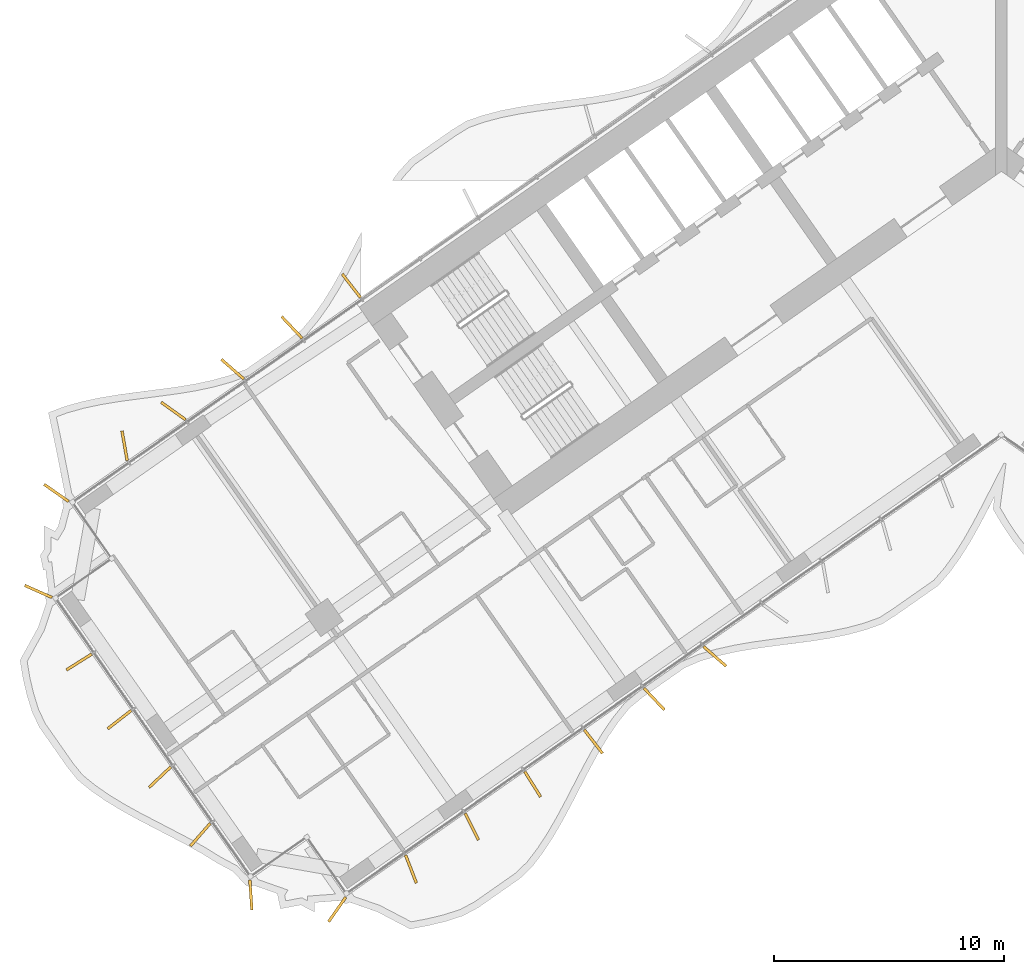
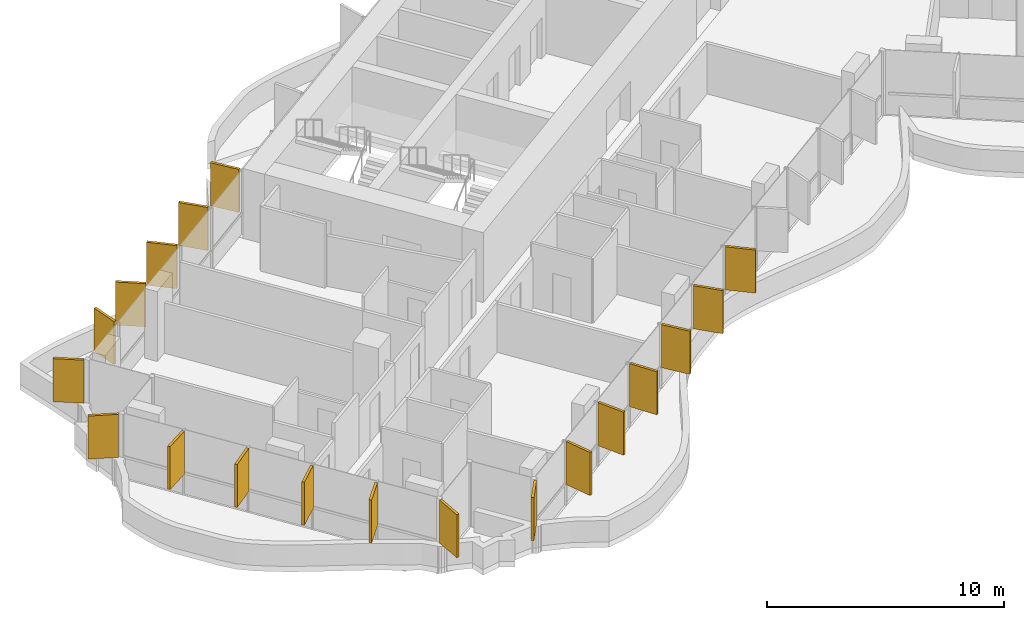
# One storey, part 18 of 23: 19 shading devices.
"""IFC4 building model written with IfcOpenShell, lengths in metres."""

from ifc_helpers import new_model, si_unit, direction, frame, origin, origin_2d, place, context, subcontext, project, spatial, rectangle, extrude, material, layer, layer_set, type_object, element, save


model = new_model("IFC4")

# Units and contexts
model_context = context("Model", 3, precision=1e-05, world=origin(), true_north=direction((0.0, 1.0)))
body_context = subcontext(model_context, "Body", "Model", "MODEL_VIEW")
ifc_project = project(units=[si_unit("LENGTHUNIT", "METRE"), si_unit("AREAUNIT", "SQUARE_METRE"), si_unit("VOLUMEUNIT", "CUBIC_METRE"), si_unit("PLANEANGLEUNIT", "RADIAN"), si_unit("MASSUNIT", "GRAM", prefix="KILO")], contexts=[model_context])

# Site, building, storey
site_placement = place(None, origin())
site = spatial("IfcSite", under=ifc_project, at=site_placement, CompositionType="ELEMENT")
building_placement = place(site_placement, origin())
building = spatial("IfcBuilding", under=site, at=building_placement, Name="Tel Ilan Convention Tower", CompositionType="ELEMENT")
storey_placement = place(building_placement, frame((0.0, 0.0, 104.89990234375)))
storey = spatial("IfcBuildingStorey", under=building, at=storey_placement, Name="L22", CompositionType="ELEMENT", Elevation=104.89990234375)

# Shading devices
ifc_material = material(Name="Aluminium, bronze anodised", Category="aluminium")
ifc_layer = layer(ifc_material, 0.1201171875)
ifc_layer_set = layer_set([ifc_layer], Name="FIN BRONZE 1300x120")
shading_device_type = type_object("IfcShadingDeviceType", Name="FIN BRONZE 1300x120", PredefinedType="USERDEFINED", material=ifc_layer_set)
for number, where, z_axis, x_axis, name in (
    (1, (-28.3056640625, -6.206298828125, 1.10009765625), (0.0, 0.0, 1.0), (-0.612600545196, 0.790392669516, 0.0), "FIN"),
    (2, (-30.893798828125, -8.018798828125, 1.10009765625), (0.0, 0.0, 1.0), (-0.686241637865, 0.727373641577, 0.0), "FIN"),
    (3, (-33.477783203125, -9.8359375, 1.10009765625), (0.0, 0.0, 1.0), (-0.753435896329, 0.657521368568, 0.0), "FIN"),
    (4, (-36.056884765625, -11.6572265625, 1.10009765625), (0.0, 0.0, 1.0), (-0.813552070258, 0.581492071294, 0.0), "FIN"),
    (5, (-38.180908203125, -13.1669921875, 1.10009765625), (0.0, 0.0, 1.0), (-0.173648177667, 0.984807753012, 0.0), "FIN"),
    (6, (-41.147705078125, -15.226806640625, 1.10009765625), (0.0, 0.0, 1.0), (-0.819152044289, 0.573576436351, 0.0), "FIN"),
    (7, (-41.935546875, -19.516357421875, 1.10009765625), (0.0, 0.0, 1.0), (-0.914332505315, 0.404964282034, 0.0), "FIN"),
    (8, (-40.15869140625, -22.58740234375, 1.10009765625), (0.0, 0.0, 1.0), (-0.845986425922, -0.533204432798, 0.0), "FIN"),
    (9, (-38.40185546875, -25.096435546875, 1.10009765625), (0.0, 0.0, 1.0), (-0.790392669516, -0.612600545196, 0.0), "FIN"),
    (10, (-36.644775390625, -27.605224609375, 1.10009765625), (0.0, 0.0, 1.0), (-0.727373641577, -0.686241637865, 0.0), "FIN"),
    (11, (-34.88330078125, -30.109619140625, 1.10009765625), (0.0, 0.0, 1.0), (-0.657521368568, -0.753435896329, 0.0), "FIN"),
    (12, (-32.68212890625, -32.7314453125, 1.10009765625), (0.0, 0.0, 1.0), (0.067821812994, -0.997697449973, 0.0), "FIN"),
    (13, (-28.9228515625, -33.363037109375, 1.10009765625), (0.0, 0.0, 1.0), (-0.573576436351, -0.819152044289, 0.0), "FIN"),
    (14, (-25.70849609375, -31.606689453125, 1.10009765625), (0.0, 0.0, 1.0), (0.360177724803, -0.932883704733, 0.0), "FIN"),
    (15, (-23.05908203125, -29.759521484375, 1.10009765625), (0.0, 0.0, 1.0), (0.448799180206, -0.893632640321, 0.0), "FIN"),
    (16, (-20.41259765625, -27.90673828125, 1.10009765625), (0.0, 0.0, 1.0), (0.533204432798, -0.845986425922, 0.0), "FIN"),
    (17, (-17.765869140625, -26.053466796875, 1.10009765625), (0.0, 0.0, 1.0), (0.612600545196, -0.790392669516, 0.0), "FIN"),
    (18, (-15.11962890625, -24.2001953125, 1.10009765625), (0.0, 0.0, 1.0), (0.686241637865, -0.727373641577, 0.0), "FIN"),
    (19, (-12.4775390625, -22.34228515625, 1.10009765625), (0.0, 0.0, 1.0), (0.753435896329, -0.657521368568, 0.0), "FIN"),
):
    element("IfcShadingDevice", number, at=place(storey_placement, frame(where, z_axis=z_axis, x_axis=x_axis)), inside=storey, type_object=shading_device_type, Name=name, ObjectType="FIN", PredefinedType="USERDEFINED", context=body_context, shape_type="SweptSolid", body=[
        extrude(rectangle(XDim=1.300048828125, YDim=0.1201171875, at=origin_2d()), origin(), (0.0, 0.0, 1.0), 2.219970703125),
    ])

save(model, "model.ifc")
